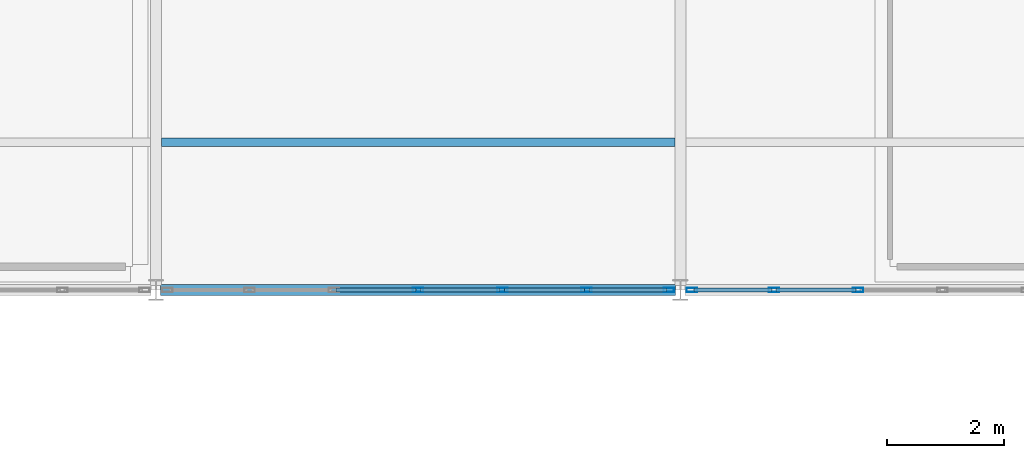
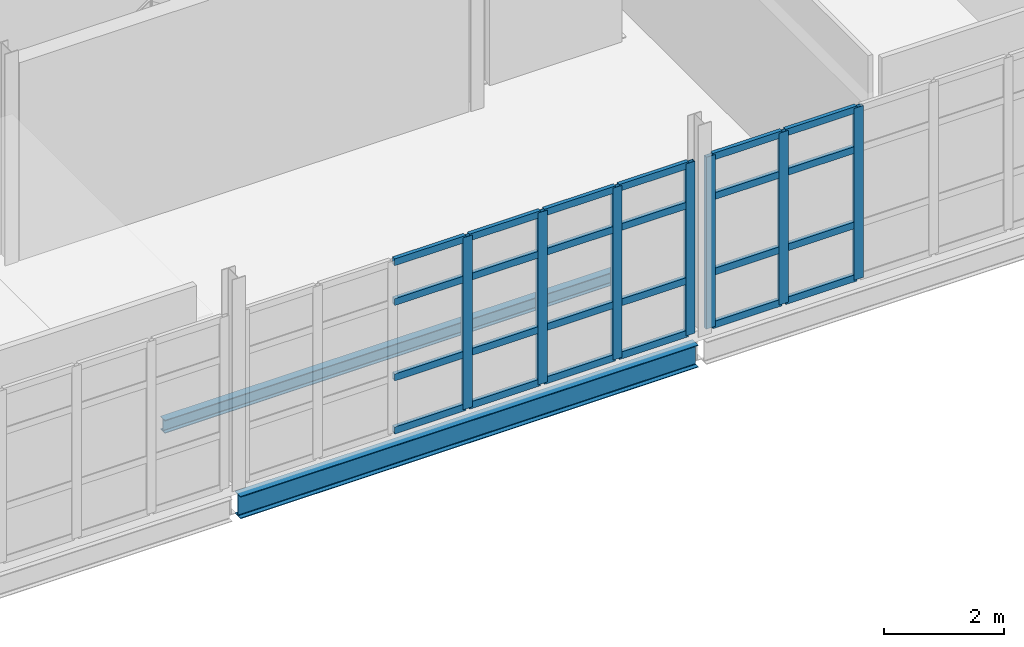
# One storey, part 115 of 174: 31 members, 2 beams, 2 elements without a shape of their own.
"""IFC4 building model written with IfcOpenShell, lengths in metres."""

from ifc_helpers import new_model, si_unit, direction, frame, origin, origin_2d, place, context, subcontext, project, spatial, hollow_rectangle, i_section, extrude, material, material_profile, profile_set, type_object, element, aggregate, save


model = new_model("IFC4")

# Units and contexts
model_context = context("Model", 3, precision=1e-05, world=origin(), true_north=direction((0.0, 1.0)))
body_context = subcontext(model_context, "Body", "Model", "MODEL_VIEW")
ifc_project = project(units=[si_unit("LENGTHUNIT", "METRE"), si_unit("AREAUNIT", "SQUARE_METRE"), si_unit("VOLUMEUNIT", "CUBIC_METRE"), si_unit("PLANEANGLEUNIT", "RADIAN"), si_unit("MASSUNIT", "GRAM", prefix="KILO")], contexts=[model_context])

# Site, building, storey
site_placement = place(None, origin())
site = spatial("IfcSite", under=ifc_project, at=site_placement, CompositionType="ELEMENT")
building_placement = place(site_placement, origin())
building = spatial("IfcBuilding", under=site, at=building_placement, Name="Caisbarro Railhouse Central Library", CompositionType="ELEMENT")
storey_placement = place(building_placement, frame((0.0, 0.0, 5.0400390625)))
storey = spatial("IfcBuildingStorey", under=building, at=storey_placement, Name="L01", CompositionType="ELEMENT", Elevation=5.0400390625)

# Beams
ifc_material_1 = material(Name="Steel ASTM A572 Grade 50", Category="steel")
ifc_material_profile_1 = material_profile(ifc_material_1, i_section(OverallWidth=0.14794921875, OverallDepth=0.26611328125, WebThickness=0.007568359375, FlangeThickness=0.012939453125, FilletRadius=0.010009765625, at=origin_2d()), Name="W250X44.8")
ifc_profile_set_1 = profile_set([ifc_material_profile_1], Name="Steel ASTM A572 Grade 50")
beam_type_1 = type_object("IfcBeamType", Name="BM-J04", PredefinedType="JOIST", material=ifc_profile_set_1)
beam_1_placement = place(storey_placement, frame((135.094970703125, 63.333251953125, -0.35302734375), z_axis=(1.0, 0.0, 0.0), x_axis=(0.0, 1.0, 0.0)))
element("IfcBeam", 1, at=beam_1_placement, inside=storey, type_object=beam_type_1, Name="J04 beam L01 #986", PredefinedType="JOIST", context=body_context, shape_type="SweptSolid", body=[
    extrude(i_section(OverallWidth=0.14794921875, OverallDepth=0.26611328125, WebThickness=0.007568359375, FlangeThickness=0.012939453125, FilletRadius=0.010009765625, at=origin_2d()), origin(), (0.0, 0.0, 1.0), 8.81005859375),
])
ifc_material_profile_2 = material_profile(ifc_material_1, i_section(OverallWidth=0.18994140625, OverallDepth=0.45703125, WebThickness=0.009033203125, FlangeThickness=0.014404296875, FilletRadius=0.01806640625, at=origin_2d()), Name="W460X74.0")
ifc_profile_set_2 = profile_set([ifc_material_profile_2], Name="Steel ASTM A572 Grade 50")
beam_type_2 = type_object("IfcBeamType", Name="BM-SP01", PredefinedType="SPANDREL", material=ifc_profile_set_2)
beam_2_placement = place(storey_placement, frame((135.080078125, 60.800048828125, -0.448486328125), z_axis=(1.0, 0.0, 0.0), x_axis=(0.0, 1.0, 0.0)))
element("IfcBeam", 2, at=beam_2_placement, inside=storey, type_object=beam_type_2, Name="SP01 beam L01 #903", PredefinedType="SPANDREL", context=body_context, shape_type="SweptSolid", body=[
    extrude(i_section(OverallWidth=0.18994140625, OverallDepth=0.45703125, WebThickness=0.009033203125, FlangeThickness=0.014404296875, FilletRadius=0.01806640625, at=origin_2d()), origin(), (0.0, 0.0, 1.0), 8.83984375),
])

# Curtain wall, members
ifc_material_2 = material(Name="Anodised architectural aluminium", Category="aluminium")
curtain_wall_type = type_object("IfcCurtainWallType", Name="CW-CW02", PredefinedType="NOTDEFINED", material=ifc_material_2)
curtain_wall_1_placement = place(storey_placement, origin())
curtain_wall_1 = element("IfcCurtainWall", 3, at=curtain_wall_1_placement, inside=storey, type_object=curtain_wall_type, Name="CW02 curtain wall L01 #119", PredefinedType="NOTDEFINED")
ifc_material_profile_3 = material_profile(ifc_material_2, hollow_rectangle(XDim=0.074951171875, YDim=0.179931640625, WallThickness=0.00439453125, at=origin_2d()), Name="ALU-MUL-75X180")
ifc_profile_set_3 = profile_set([ifc_material_profile_3], Name="Anodised architectural aluminium")
member_type_1 = type_object("IfcMemberType", Name="CWM-M01", PredefinedType="MULLION", material=ifc_profile_set_3)
member_1_placement = place(storey_placement, frame((139.5, 60.800048828125, 0.0), z_axis=(0.0, 0.0, 1.0), x_axis=(0.0, 1.0, 0.0)))
member_1 = element("IfcMember", 4, at=member_1_placement, type_object=member_type_1, Name="CW02 mullion 4", PredefinedType="MULLION", context=body_context, shape_type="SweptSolid", body=[
    extrude(hollow_rectangle(XDim=0.074951171875, YDim=0.179931640625, WallThickness=0.00439453125, at=origin_2d()), origin(), (0.0, 0.0, 1.0), 3.510009765625),
])
member_2_placement = place(storey_placement, frame((140.94677734375, 60.800048828125, 0.0), z_axis=(0.0, 0.0, 1.0), x_axis=(0.0, 1.0, 0.0)))
member_2 = element("IfcMember", 5, at=member_2_placement, type_object=member_type_1, Name="CW02 mullion 5", PredefinedType="MULLION", context=body_context, shape_type="SweptSolid", body=[
    extrude(hollow_rectangle(XDim=0.074951171875, YDim=0.179931640625, WallThickness=0.00439453125, at=origin_2d()), origin(), (0.0, 0.0, 1.0), 3.510009765625),
])
member_3_placement = place(storey_placement, frame((142.393310546875, 60.800048828125, 0.0), z_axis=(0.0, 0.0, 1.0), x_axis=(0.0, 1.0, 0.0)))
member_3 = element("IfcMember", 6, at=member_3_placement, type_object=member_type_1, Name="CW02 mullion 6", PredefinedType="MULLION", context=body_context, shape_type="SweptSolid", body=[
    extrude(hollow_rectangle(XDim=0.074951171875, YDim=0.179931640625, WallThickness=0.00439453125, at=origin_2d()), origin(), (0.0, 0.0, 1.0), 3.510009765625),
])
member_4_placement = place(storey_placement, frame((143.802490234375, 60.800048828125, 0.0), z_axis=(0.0, 0.0, 1.0), x_axis=(0.0, 1.0, 0.0)))
member_4 = element("IfcMember", 7, at=member_4_placement, type_object=member_type_1, Name="CW02 mullion 7", PredefinedType="MULLION", context=body_context, shape_type="SweptSolid", body=[
    extrude(hollow_rectangle(XDim=0.074951171875, YDim=0.179931640625, WallThickness=0.00439453125, at=origin_2d()), origin(), (0.0, 0.0, 1.0), 3.510009765625),
])

curtain_wall_2_placement = place(storey_placement, origin())
curtain_wall_2 = element("IfcCurtainWall", 8, at=curtain_wall_2_placement, inside=storey, type_object=curtain_wall_type, Name="CW02 curtain wall L01 #120", PredefinedType="NOTDEFINED")
member_5_placement = place(storey_placement, frame((144.197509765625, 60.800048828125, 0.0), z_axis=(0.0, 0.0, 1.0), x_axis=(0.0, 1.0, 0.0)))
member_5 = element("IfcMember", 9, at=member_5_placement, type_object=member_type_1, Name="CW02 mullion 1", PredefinedType="MULLION", context=body_context, shape_type="SweptSolid", body=[
    extrude(hollow_rectangle(XDim=0.074951171875, YDim=0.179931640625, WallThickness=0.00439453125, at=origin_2d()), origin(), (0.0, 0.0, 1.0), 3.510009765625),
])
member_6_placement = place(storey_placement, frame((145.606689453125, 60.800048828125, 0.0), z_axis=(0.0, 0.0, 1.0), x_axis=(0.0, 1.0, 0.0)))
member_6 = element("IfcMember", 10, at=member_6_placement, type_object=member_type_1, Name="CW02 mullion 2", PredefinedType="MULLION", context=body_context, shape_type="SweptSolid", body=[
    extrude(hollow_rectangle(XDim=0.074951171875, YDim=0.179931640625, WallThickness=0.00439453125, at=origin_2d()), origin(), (0.0, 0.0, 1.0), 3.510009765625),
])
member_7_placement = place(storey_placement, frame((147.05322265625, 60.800048828125, 0.0), z_axis=(0.0, 0.0, 1.0), x_axis=(0.0, 1.0, 0.0)))
member_7 = element("IfcMember", 11, at=member_7_placement, type_object=member_type_1, Name="CW02 mullion 3", PredefinedType="MULLION", context=body_context, shape_type="SweptSolid", body=[
    extrude(hollow_rectangle(XDim=0.074951171875, YDim=0.179931640625, WallThickness=0.00439453125, at=origin_2d()), origin(), (0.0, 0.0, 1.0), 3.510009765625),
])

# Member
ifc_material_profile_4 = material_profile(ifc_material_2, hollow_rectangle(XDim=0.074951171875, YDim=0.139892578125, WallThickness=0.00390625, at=origin_2d()), Name="ALU-TRN-75X140")
ifc_profile_set_4 = profile_set([ifc_material_profile_4], Name="Anodised architectural aluminium")
member_type_2 = type_object("IfcMemberType", Name="CWT-T01", PredefinedType="USERDEFINED", material=ifc_profile_set_4)
member_8_placement = place(storey_placement, frame((138.0908203125, 60.800048828125, 0.037353515625), z_axis=(1.0, 0.0, 0.0), x_axis=(0.0, 1.0, 0.0)))
member_8 = element("IfcMember", 12, at=member_8_placement, type_object=member_type_2, Name="CW02 transom 3.1", ObjectType="TRANSOM", PredefinedType="USERDEFINED", context=body_context, shape_type="SweptSolid", body=[
    extrude(hollow_rectangle(XDim=0.074951171875, YDim=0.139892578125, WallThickness=0.00390625, at=origin_2d()), origin(), (0.0, 0.0, 1.0), 1.37158203125),
])

member_9_placement = place(storey_placement, frame((138.0908203125, 60.800048828125, 1.119873046875), z_axis=(1.0, 0.0, 0.0), x_axis=(0.0, 1.0, 0.0)))
member_9 = element("IfcMember", 13, at=member_9_placement, type_object=member_type_2, Name="CW02 transom 3.2", ObjectType="TRANSOM", PredefinedType="USERDEFINED", context=body_context, shape_type="SweptSolid", body=[
    extrude(hollow_rectangle(XDim=0.074951171875, YDim=0.139892578125, WallThickness=0.00390625, at=origin_2d()), origin(), (0.0, 0.0, 1.0), 1.37158203125),
])

member_10_placement = place(storey_placement, frame((138.0908203125, 60.800048828125, 2.659912109375), z_axis=(1.0, 0.0, 0.0), x_axis=(0.0, 1.0, 0.0)))
member_10 = element("IfcMember", 14, at=member_10_placement, type_object=member_type_2, Name="CW02 transom 3.3", ObjectType="TRANSOM", PredefinedType="USERDEFINED", context=body_context, shape_type="SweptSolid", body=[
    extrude(hollow_rectangle(XDim=0.074951171875, YDim=0.139892578125, WallThickness=0.00390625, at=origin_2d()), origin(), (0.0, 0.0, 1.0), 1.37158203125),
])

member_11_placement = place(storey_placement, frame((138.0908203125, 60.800048828125, 3.472412109375), z_axis=(1.0, 0.0, 0.0), x_axis=(0.0, 1.0, 0.0)))
member_11 = element("IfcMember", 15, at=member_11_placement, type_object=member_type_2, Name="CW02 transom 3.4", ObjectType="TRANSOM", PredefinedType="USERDEFINED", context=body_context, shape_type="SweptSolid", body=[
    extrude(hollow_rectangle(XDim=0.074951171875, YDim=0.139892578125, WallThickness=0.00390625, at=origin_2d()), origin(), (0.0, 0.0, 1.0), 1.37158203125),
])

member_12_placement = place(storey_placement, frame((139.53759765625, 60.800048828125, 0.037353515625), z_axis=(1.0, 0.0, 0.0), x_axis=(0.0, 1.0, 0.0)))
member_12 = element("IfcMember", 16, at=member_12_placement, type_object=member_type_2, Name="CW02 transom 4.1", ObjectType="TRANSOM", PredefinedType="USERDEFINED", context=body_context, shape_type="SweptSolid", body=[
    extrude(hollow_rectangle(XDim=0.074951171875, YDim=0.139892578125, WallThickness=0.00390625, at=origin_2d()), origin(), (0.0, 0.0, 1.0), 1.37158203125),
])

member_13_placement = place(storey_placement, frame((139.53759765625, 60.800048828125, 1.119873046875), z_axis=(1.0, 0.0, 0.0), x_axis=(0.0, 1.0, 0.0)))
member_13 = element("IfcMember", 17, at=member_13_placement, type_object=member_type_2, Name="CW02 transom 4.2", ObjectType="TRANSOM", PredefinedType="USERDEFINED", context=body_context, shape_type="SweptSolid", body=[
    extrude(hollow_rectangle(XDim=0.074951171875, YDim=0.139892578125, WallThickness=0.00390625, at=origin_2d()), origin(), (0.0, 0.0, 1.0), 1.37158203125),
])

member_14_placement = place(storey_placement, frame((139.53759765625, 60.800048828125, 2.659912109375), z_axis=(1.0, 0.0, 0.0), x_axis=(0.0, 1.0, 0.0)))
member_14 = element("IfcMember", 18, at=member_14_placement, type_object=member_type_2, Name="CW02 transom 4.3", ObjectType="TRANSOM", PredefinedType="USERDEFINED", context=body_context, shape_type="SweptSolid", body=[
    extrude(hollow_rectangle(XDim=0.074951171875, YDim=0.139892578125, WallThickness=0.00390625, at=origin_2d()), origin(), (0.0, 0.0, 1.0), 1.37158203125),
])

member_15_placement = place(storey_placement, frame((139.53759765625, 60.800048828125, 3.472412109375), z_axis=(1.0, 0.0, 0.0), x_axis=(0.0, 1.0, 0.0)))
member_15 = element("IfcMember", 19, at=member_15_placement, type_object=member_type_2, Name="CW02 transom 4.4", ObjectType="TRANSOM", PredefinedType="USERDEFINED", context=body_context, shape_type="SweptSolid", body=[
    extrude(hollow_rectangle(XDim=0.074951171875, YDim=0.139892578125, WallThickness=0.00390625, at=origin_2d()), origin(), (0.0, 0.0, 1.0), 1.37158203125),
])

member_16_placement = place(storey_placement, frame((140.984130859375, 60.800048828125, 0.037353515625), z_axis=(1.0, 0.0, 0.0), x_axis=(0.0, 1.0, 0.0)))
member_16 = element("IfcMember", 20, at=member_16_placement, type_object=member_type_2, Name="CW02 transom 5.1", ObjectType="TRANSOM", PredefinedType="USERDEFINED", context=body_context, shape_type="SweptSolid", body=[
    extrude(hollow_rectangle(XDim=0.074951171875, YDim=0.139892578125, WallThickness=0.00390625, at=origin_2d()), origin(), (0.0, 0.0, 1.0), 1.37158203125),
])

member_17_placement = place(storey_placement, frame((140.984130859375, 60.800048828125, 1.119873046875), z_axis=(1.0, 0.0, 0.0), x_axis=(0.0, 1.0, 0.0)))
member_17 = element("IfcMember", 21, at=member_17_placement, type_object=member_type_2, Name="CW02 transom 5.2", ObjectType="TRANSOM", PredefinedType="USERDEFINED", context=body_context, shape_type="SweptSolid", body=[
    extrude(hollow_rectangle(XDim=0.074951171875, YDim=0.139892578125, WallThickness=0.00390625, at=origin_2d()), origin(), (0.0, 0.0, 1.0), 1.37158203125),
])

member_18_placement = place(storey_placement, frame((140.984130859375, 60.800048828125, 2.659912109375), z_axis=(1.0, 0.0, 0.0), x_axis=(0.0, 1.0, 0.0)))
member_18 = element("IfcMember", 22, at=member_18_placement, type_object=member_type_2, Name="CW02 transom 5.3", ObjectType="TRANSOM", PredefinedType="USERDEFINED", context=body_context, shape_type="SweptSolid", body=[
    extrude(hollow_rectangle(XDim=0.074951171875, YDim=0.139892578125, WallThickness=0.00390625, at=origin_2d()), origin(), (0.0, 0.0, 1.0), 1.37158203125),
])

member_19_placement = place(storey_placement, frame((140.984130859375, 60.800048828125, 3.472412109375), z_axis=(1.0, 0.0, 0.0), x_axis=(0.0, 1.0, 0.0)))
member_19 = element("IfcMember", 23, at=member_19_placement, type_object=member_type_2, Name="CW02 transom 5.4", ObjectType="TRANSOM", PredefinedType="USERDEFINED", context=body_context, shape_type="SweptSolid", body=[
    extrude(hollow_rectangle(XDim=0.074951171875, YDim=0.139892578125, WallThickness=0.00390625, at=origin_2d()), origin(), (0.0, 0.0, 1.0), 1.37158203125),
])

member_20_placement = place(storey_placement, frame((142.430908203125, 60.800048828125, 0.037353515625), z_axis=(1.0, 0.0, 0.0), x_axis=(0.0, 1.0, 0.0)))
member_20 = element("IfcMember", 24, at=member_20_placement, type_object=member_type_2, Name="CW02 transom 6.1", ObjectType="TRANSOM", PredefinedType="USERDEFINED", context=body_context, shape_type="SweptSolid", body=[
    extrude(hollow_rectangle(XDim=0.074951171875, YDim=0.139892578125, WallThickness=0.00390625, at=origin_2d()), origin(), (0.0, 0.0, 1.0), 1.333984375),
])

member_21_placement = place(storey_placement, frame((142.430908203125, 60.800048828125, 1.119873046875), z_axis=(1.0, 0.0, 0.0), x_axis=(0.0, 1.0, 0.0)))
member_21 = element("IfcMember", 25, at=member_21_placement, type_object=member_type_2, Name="CW02 transom 6.2", ObjectType="TRANSOM", PredefinedType="USERDEFINED", context=body_context, shape_type="SweptSolid", body=[
    extrude(hollow_rectangle(XDim=0.074951171875, YDim=0.139892578125, WallThickness=0.00390625, at=origin_2d()), origin(), (0.0, 0.0, 1.0), 1.333984375),
])

member_22_placement = place(storey_placement, frame((142.430908203125, 60.800048828125, 2.659912109375), z_axis=(1.0, 0.0, 0.0), x_axis=(0.0, 1.0, 0.0)))
member_22 = element("IfcMember", 26, at=member_22_placement, type_object=member_type_2, Name="CW02 transom 6.3", ObjectType="TRANSOM", PredefinedType="USERDEFINED", context=body_context, shape_type="SweptSolid", body=[
    extrude(hollow_rectangle(XDim=0.074951171875, YDim=0.139892578125, WallThickness=0.00390625, at=origin_2d()), origin(), (0.0, 0.0, 1.0), 1.333984375),
])

member_23_placement = place(storey_placement, frame((142.430908203125, 60.800048828125, 3.472412109375), z_axis=(1.0, 0.0, 0.0), x_axis=(0.0, 1.0, 0.0)))
member_23 = element("IfcMember", 27, at=member_23_placement, type_object=member_type_2, Name="CW02 transom 6.4", ObjectType="TRANSOM", PredefinedType="USERDEFINED", context=body_context, shape_type="SweptSolid", body=[
    extrude(hollow_rectangle(XDim=0.074951171875, YDim=0.139892578125, WallThickness=0.00390625, at=origin_2d()), origin(), (0.0, 0.0, 1.0), 1.333984375),
])

aggregate(curtain_wall_1, [member_1, member_2, member_3, member_4, member_8, member_9, member_10, member_11, member_12, member_13, member_14, member_15, member_16, member_17, member_18, member_19, member_20, member_21, member_22, member_23])

member_24_placement = place(storey_placement, frame((144.235107421875, 60.800048828125, 0.037353515625), z_axis=(1.0, 0.0, 0.0), x_axis=(0.0, 1.0, 0.0)))
member_24 = element("IfcMember", 28, at=member_24_placement, type_object=member_type_2, Name="CW02 transom 1.1", ObjectType="TRANSOM", PredefinedType="USERDEFINED", context=body_context, shape_type="SweptSolid", body=[
    extrude(hollow_rectangle(XDim=0.074951171875, YDim=0.139892578125, WallThickness=0.00390625, at=origin_2d()), origin(), (0.0, 0.0, 1.0), 1.333984375),
])

member_25_placement = place(storey_placement, frame((144.235107421875, 60.800048828125, 1.119873046875), z_axis=(1.0, 0.0, 0.0), x_axis=(0.0, 1.0, 0.0)))
member_25 = element("IfcMember", 29, at=member_25_placement, type_object=member_type_2, Name="CW02 transom 1.2", ObjectType="TRANSOM", PredefinedType="USERDEFINED", context=body_context, shape_type="SweptSolid", body=[
    extrude(hollow_rectangle(XDim=0.074951171875, YDim=0.139892578125, WallThickness=0.00390625, at=origin_2d()), origin(), (0.0, 0.0, 1.0), 1.333984375),
])

member_26_placement = place(storey_placement, frame((144.235107421875, 60.800048828125, 2.659912109375), z_axis=(1.0, 0.0, 0.0), x_axis=(0.0, 1.0, 0.0)))
member_26 = element("IfcMember", 30, at=member_26_placement, type_object=member_type_2, Name="CW02 transom 1.3", ObjectType="TRANSOM", PredefinedType="USERDEFINED", context=body_context, shape_type="SweptSolid", body=[
    extrude(hollow_rectangle(XDim=0.074951171875, YDim=0.139892578125, WallThickness=0.00390625, at=origin_2d()), origin(), (0.0, 0.0, 1.0), 1.333984375),
])

member_27_placement = place(storey_placement, frame((144.235107421875, 60.800048828125, 3.472412109375), z_axis=(1.0, 0.0, 0.0), x_axis=(0.0, 1.0, 0.0)))
member_27 = element("IfcMember", 31, at=member_27_placement, type_object=member_type_2, Name="CW02 transom 1.4", ObjectType="TRANSOM", PredefinedType="USERDEFINED", context=body_context, shape_type="SweptSolid", body=[
    extrude(hollow_rectangle(XDim=0.074951171875, YDim=0.139892578125, WallThickness=0.00390625, at=origin_2d()), origin(), (0.0, 0.0, 1.0), 1.333984375),
])

member_28_placement = place(storey_placement, frame((145.644287109375, 60.800048828125, 0.037353515625), z_axis=(1.0, 0.0, 0.0), x_axis=(0.0, 1.0, 0.0)))
member_28 = element("IfcMember", 32, at=member_28_placement, type_object=member_type_2, Name="CW02 transom 2.1", ObjectType="TRANSOM", PredefinedType="USERDEFINED", context=body_context, shape_type="SweptSolid", body=[
    extrude(hollow_rectangle(XDim=0.074951171875, YDim=0.139892578125, WallThickness=0.00390625, at=origin_2d()), origin(), (0.0, 0.0, 1.0), 1.37158203125),
])

member_29_placement = place(storey_placement, frame((145.644287109375, 60.800048828125, 1.119873046875), z_axis=(1.0, 0.0, 0.0), x_axis=(0.0, 1.0, 0.0)))
member_29 = element("IfcMember", 33, at=member_29_placement, type_object=member_type_2, Name="CW02 transom 2.2", ObjectType="TRANSOM", PredefinedType="USERDEFINED", context=body_context, shape_type="SweptSolid", body=[
    extrude(hollow_rectangle(XDim=0.074951171875, YDim=0.139892578125, WallThickness=0.00390625, at=origin_2d()), origin(), (0.0, 0.0, 1.0), 1.37158203125),
])

member_30_placement = place(storey_placement, frame((145.644287109375, 60.800048828125, 2.659912109375), z_axis=(1.0, 0.0, 0.0), x_axis=(0.0, 1.0, 0.0)))
member_30 = element("IfcMember", 34, at=member_30_placement, type_object=member_type_2, Name="CW02 transom 2.3", ObjectType="TRANSOM", PredefinedType="USERDEFINED", context=body_context, shape_type="SweptSolid", body=[
    extrude(hollow_rectangle(XDim=0.074951171875, YDim=0.139892578125, WallThickness=0.00390625, at=origin_2d()), origin(), (0.0, 0.0, 1.0), 1.37158203125),
])

member_31_placement = place(storey_placement, frame((145.644287109375, 60.800048828125, 3.472412109375), z_axis=(1.0, 0.0, 0.0), x_axis=(0.0, 1.0, 0.0)))
member_31 = element("IfcMember", 35, at=member_31_placement, type_object=member_type_2, Name="CW02 transom 2.4", ObjectType="TRANSOM", PredefinedType="USERDEFINED", context=body_context, shape_type="SweptSolid", body=[
    extrude(hollow_rectangle(XDim=0.074951171875, YDim=0.139892578125, WallThickness=0.00390625, at=origin_2d()), origin(), (0.0, 0.0, 1.0), 1.37158203125),
])

aggregate(curtain_wall_2, [member_5, member_6, member_7, member_24, member_25, member_26, member_27, member_28, member_29, member_30, member_31])

save(model, "model.ifc")
